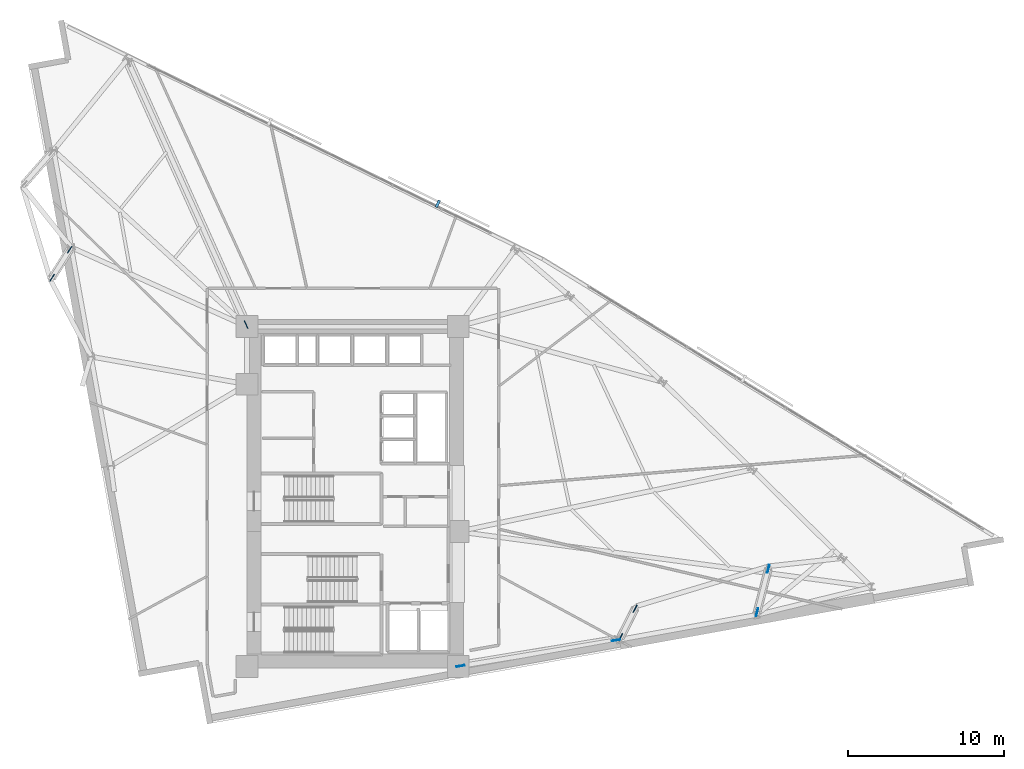
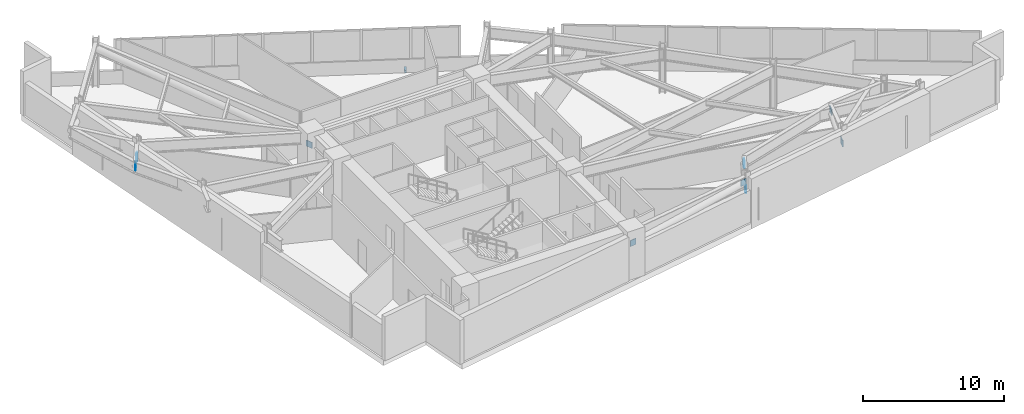
# One storey, part 15 of 19: 10 discrete accessories.
"""IFC4 building model written with IfcOpenShell, lengths in metres."""

from ifc_helpers import new_model, si_unit, direction, frame, origin, origin_2d, place, context, subcontext, project, spatial, rectangle, extrude, material, type_object, element, save


model = new_model("IFC4")

# Units and contexts
model_context = context("Model", 3, precision=1e-05, world=origin(), true_north=direction((0.0, 1.0)))
body_context = subcontext(model_context, "Body", "Model", "MODEL_VIEW")
ifc_project = project(units=[si_unit("LENGTHUNIT", "METRE"), si_unit("AREAUNIT", "SQUARE_METRE"), si_unit("VOLUMEUNIT", "CUBIC_METRE"), si_unit("PLANEANGLEUNIT", "RADIAN"), si_unit("MASSUNIT", "GRAM", prefix="KILO")], contexts=[model_context])

# Site, building, storey
site_placement = place(None, origin())
site = spatial("IfcSite", under=ifc_project, at=site_placement, CompositionType="ELEMENT")
building_placement = place(site_placement, origin())
building = spatial("IfcBuilding", under=site, at=building_placement, Name="Narakoshi Arena Tower", CompositionType="ELEMENT")
storey_placement = place(building_placement, frame((0.0, 0.0, 128.10009765625)))
storey = spatial("IfcBuildingStorey", under=building, at=storey_placement, Name="L34", CompositionType="ELEMENT", Elevation=128.10009765625)

# Discrete accessories
ifc_material_1 = material(Name="Structural steel S355J2", Category="steel")
discrete_accessory_type_1 = type_object("IfcDiscreteAccessoryType", Name="ACC-BRK-SCR", PredefinedType="BRACKET", material=ifc_material_1)
discrete_accessory_placement = place(storey_placement, frame((84.2451171875, 64.381103515625, -0.080078125), z_axis=(0.0, 0.0, 1.0), x_axis=(-0.897996860024, 0.440001862936, 0.0)))
element("IfcDiscreteAccessory", 1, at=discrete_accessory_placement, inside=storey, type_object=discrete_accessory_type_1, Name="L34 Solar Screen Support Bracket SHD-L34-PLV2-1", PredefinedType="BRACKET", context=body_context, shape_type="SweptSolid", body=[
    extrude(rectangle(XDim=0.159912109375, YDim=0.5, at=origin_2d()), origin(), (0.0, 0.0, 1.0), 0.199951171875),
])
ifc_material_2 = material(Name="Structural steel S460ML", Category="steel")
discrete_accessory_type_2 = type_object("IfcDiscreteAccessoryType", Name="ACC-GUS-PLT", PredefinedType="BRACKET", material=ifc_material_2)
for number, where, z_axis, x_axis, name in (
    (2, (95.9716796875, 36.572265625, 2.289794921875), (0.0, 0.0, 1.0), (0.453057191132, 0.891481453292, 0.0), "L34 Brace Node Gusset Plate 0154"),
    (3, (96.90283203125, 38.40478515625, 3.035888671875), (0.0, 0.0, 1.0), (0.453057191132, 0.891481453292, 0.0), "L34 Brace Node Gusset Plate 0155"),
    (4, (104.7265625, 38.17578125, 2.289794921875), (0.0, 0.0, 1.0), (0.251562632376, 0.967841021032, 0.0), "L34 Brace Node Gusset Plate 0156"),
    (5, (105.448486328125, 40.951904296875, 3.035888671875), (0.0, 0.0, 1.0), (0.251562632376, 0.967841021032, 0.0), "L34 Brace Node Gusset Plate 0157"),
    (6, (60.624267578125, 61.432861328125, 2.289794921875), (0.0, 0.0, 1.0), (0.532580866475, 0.846379123481, 0.0), "L34 Brace Node Gusset Plate 0160"),
    (7, (59.491943359375, 59.633544921875, 3.035888671875), (0.0, 0.0, 1.0), (0.532580866475, 0.846379123481, 0.0), "L34 Brace Node Gusset Plate 0161"),
    (8, (85.697998046875, 34.724609375, 2.33984375), (0.0, 0.0, 1.0), (0.986572161607, 0.163325962242, 0.0), "L34 Brace Node Gusset Plate 0162"),
    (9, (95.673095703125, 36.3759765625, 3.035888671875), (0.0, 0.0, 1.0), (0.986572161607, 0.163325962242, 0.0), "L34 Brace Node Gusset Plate 0163"),
    (10, (71.938720703125, 56.636962890625, 2.33984375), (0.0, 0.0, 1.0), (-0.409126902895, 0.912477494148, 0.0), "L34 Brace Node Gusset Plate 0164"),
):
    element("IfcDiscreteAccessory", number, at=place(storey_placement, frame(where, z_axis=z_axis, x_axis=x_axis)), inside=storey, type_object=discrete_accessory_type_2, Name=name, PredefinedType="BRACKET", context=body_context, shape_type="SweptSolid", body=[
        extrude(rectangle(XDim=0.52001953125, YDim=0.050048828125, at=origin_2d()), origin(), (0.0, 0.0, 1.0), 0.52001953125),
    ])

save(model, "model.ifc")
